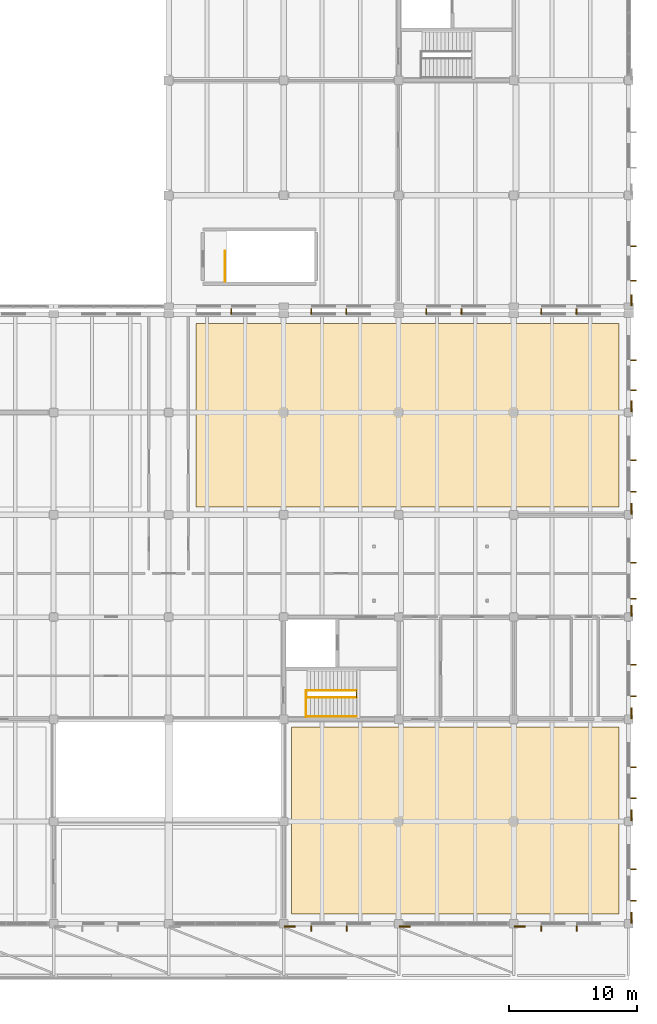
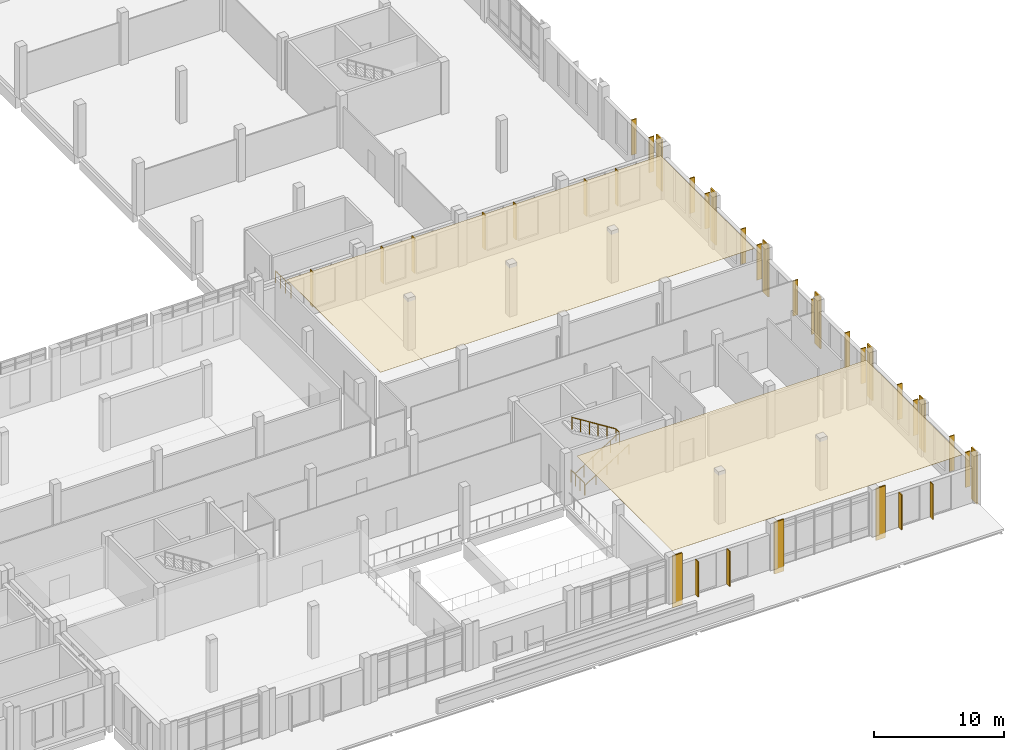
# One storey, part 105 of 110: 25 shading devices, 12 coverings, 6 railings.
"""IFC4 building model written with IfcOpenShell, lengths in metres."""

from ifc_helpers import new_model, si_unit, direction, frame, origin, origin_2d, place, context, subcontext, project, spatial, polyline, rectangle, circle, outline, extrude, material, layer, layer_set, type_object, element, save


model = new_model("IFC4")

# Units and contexts
model_context = context("Model", 3, precision=1e-05, world=origin(), true_north=direction((0.0, 1.0)))
body_context = subcontext(model_context, "Body", "Model", "MODEL_VIEW")
ifc_project = project(units=[si_unit("LENGTHUNIT", "METRE"), si_unit("AREAUNIT", "SQUARE_METRE"), si_unit("VOLUMEUNIT", "CUBIC_METRE"), si_unit("PLANEANGLEUNIT", "RADIAN"), si_unit("MASSUNIT", "GRAM", prefix="KILO")], contexts=[model_context])

# Site, building, storey
site_placement = place(None, origin())
site = spatial("IfcSite", under=ifc_project, at=site_placement, CompositionType="ELEMENT")
building_placement = place(site_placement, origin())
building = spatial("IfcBuilding", under=site, at=building_placement, Name="Zacnel Wholesale Market", CompositionType="ELEMENT")
storey_placement = place(building_placement, frame((0.0, 0.0, 6.300048828125)))
storey = spatial("IfcBuildingStorey", under=building, at=storey_placement, Name="L02", CompositionType="ELEMENT", Elevation=6.300048828125)

# Coverings
ifc_material_1 = material(Name="Micro-perforated acoustic gypsum ceiling")
ifc_layer_1 = layer(ifc_material_1, 0.02001953125)
ifc_layer_set_1 = layer_set([ifc_layer_1], Name="Micro-perforated acoustic gypsum ceiling")
covering_type_1 = type_object("IfcCoveringType", Name="COV-CEIL-AC-20", PredefinedType="CEILING", material=ifc_layer_set_1)
covering_1_placement = place(storey_placement, frame((0.0, 0.0, 4.5400390625)))
element("IfcCovering", 1, at=covering_1_placement, inside=storey, type_object=covering_type_1, Name="Acoustic ceiling L02-503", PredefinedType="CEILING", context=body_context, shape_type="SweptSolid", body=[
    extrude(outline(polyline([(189.60009765625, 0.75), (215.25, 0.75), (215.25, 15.39990234375), (189.60009765625, 15.39990234375), (189.60009765625, 0.75)])), origin(), (0.0, 0.0, 1.0), 0.02001953125),
])
covering_2_placement = place(storey_placement, frame((0.0, 0.0, 4.5400390625)))
element("IfcCovering", 2, at=covering_2_placement, inside=storey, type_object=covering_type_1, Name="Acoustic ceiling L02-511", PredefinedType="CEILING", context=body_context, shape_type="SweptSolid", body=[
    extrude(outline(polyline([(182.14990234375, 32.60009765625), (215.25, 32.60009765625), (215.25, 46.949951171875), (182.14990234375, 46.949951171875), (182.14990234375, 32.60009765625)])), origin(), (0.0, 0.0, 1.0), 0.02001953125),
])
ifc_material_2 = material(Name="Honed Yucatan Maya cream limestone", Category="masonry")
ifc_layer_2 = layer(ifc_material_2, 0.090087890625)
ifc_layer_set_2 = layer_set([ifc_layer_2], Name="Honed Yucatan Maya cream limestone")
covering_type_2 = type_object("IfcCoveringType", Name="COV-CLAD-FRET", PredefinedType="CLADDING", material=ifc_layer_set_2)
for number, where, z_axis, x_axis, name in (
    (3, (189.47998046875, -0.2099609375, 0.02001953125), (0.0, 0.0, 1.0), (1.0, 0.0, 0.0), "Fluted Mayan-Deco limestone pilaster L02-0131"),
    (4, (198.47998046875, -0.2099609375, 0.02001953125), (0.0, 0.0, 1.0), (1.0, 0.0, 0.0), "Fluted Mayan-Deco limestone pilaster L02-0132"),
    (5, (207.47998046875, -0.2099609375, 0.02001953125), (0.0, 0.0, 1.0), (1.0, 0.0, 0.0), "Fluted Mayan-Deco limestone pilaster L02-0133"),
    (6, (216.2099609375, 0.47998046875, 0.02001953125), (0.0, 0.0, 1.0), (0.0, 1.0, 0.0), "Fluted Mayan-Deco limestone pilaster L02-0134"),
    (7, (216.2099609375, 8.47998046875, 0.02001953125), (0.0, 0.0, 1.0), (0.0, 1.0, 0.0), "Fluted Mayan-Deco limestone pilaster L02-0135"),
    (8, (216.2099609375, 16.47998046875, 0.02001953125), (0.0, 0.0, 1.0), (0.0, 1.0, 0.0), "Fluted Mayan-Deco limestone pilaster L02-0136"),
    (9, (216.2099609375, 24.47998046875, 0.02001953125), (0.0, 0.0, 1.0), (0.0, 1.0, 0.0), "Fluted Mayan-Deco limestone pilaster L02-0137"),
    (10, (216.2099609375, 32.47998046875, 0.02001953125), (0.0, 0.0, 1.0), (0.0, 1.0, 0.0), "Fluted Mayan-Deco limestone pilaster L02-0138"),
    (11, (216.2099609375, 40.47998046875, 0.02001953125), (0.0, 0.0, 1.0), (0.0, 1.0, 0.0), "Fluted Mayan-Deco limestone pilaster L02-0139"),
    (12, (216.2099609375, 48.780029296875, 0.02001953125), (0.0, 0.0, 1.0), (0.0, 1.0, 0.0), "Fluted Mayan-Deco limestone pilaster L02-0157"),
):
    element("IfcCovering", number, at=place(storey_placement, frame(where, z_axis=z_axis, x_axis=x_axis)), inside=storey, type_object=covering_type_2, Name=name, PredefinedType="CLADDING", context=body_context, shape_type="SweptSolid", body=[
        extrude(rectangle(XDim=0.85009765625, YDim=0.1201171875, at=origin_2d()), origin(), (0.0, 0.0, 1.0), 4.860107421875),
    ])

# Railings
ifc_material_3 = material(Name="Galvanized steel", Category="steel")
railing_type_1 = type_object("IfcRailingType", Name="RAL-HANDRAIL-920", PredefinedType="HANDRAIL", material=ifc_material_3)
railing_1_placement = place(storey_placement, frame((190.81005859375, 16.2099609375, 0.0)))
element("IfcRailing", 13, at=railing_1_placement, inside=storey, type_object=railing_type_1, Name="Stair ST-05 wall handrail", PredefinedType="HANDRAIL", context=body_context, shape_type="SweptSolid", body=[
    extrude(circle(Radius=0.02099609375, at=origin_2d()), frame((0.0, 0.0, 0.89892578125), z_axis=(0.846775046443, 0.0, 0.531951145052), x_axis=(0.0, 1.0, 0.0)), (0.0, 0.0, 1.0), 4.605712890625),
    extrude(circle(Radius=0.01806640625, at=origin_2d()), origin(), (0.0, 0.0, 1.0), 0.8779296875),
    extrude(circle(Radius=0.01806640625, at=origin_2d()), frame((0.97509765625, 0.0, 0.612548828125)), (0.0, 0.0, 1.0), 0.8779296875),
    extrude(circle(Radius=0.01806640625, at=origin_2d()), frame((1.949951171875, 0.0, 1.22509765625)), (0.0, 0.0, 1.0), 0.8779296875),
    extrude(circle(Radius=0.01806640625, at=origin_2d()), frame((2.9248046875, 0.0, 1.83740234375)), (0.0, 0.0, 1.0), 0.8779296875),
    extrude(circle(Radius=0.01806640625, at=origin_2d()), frame((3.89990234375, 0.0, 2.449951171875)), (0.0, 0.0, 1.0), 0.8779296875),
])
ifc_material_4 = material(Name="Galvanized steel", Category="steel")
railing_type_2 = type_object("IfcRailingType", Name="RAL-STAIR-GD1150", PredefinedType="BALUSTRADE", material=ifc_material_4)
railing_2_placement = place(storey_placement, frame((190.75, 16.18994140625, 0.0)))
element("IfcRailing", 14, at=railing_2_placement, inside=storey, type_object=railing_type_2, Name="Stair balustrade INT-STAIR-ST-04-GDWELL-1", PredefinedType="BALUSTRADE", context=body_context, shape_type="SweptSolid", body=[
    extrude(circle(Radius=0.02392578125, at=origin_2d()), frame((0.0, 0.0, 1.1259765625), z_axis=(0.0, 1.0, 0.0), x_axis=(-1.0, 0.0, 0.0)), (0.0, 0.0, 1.0), 2.06005859375),
    extrude(circle(Radius=0.02099609375, at=origin_2d()), origin(), (0.0, 0.0, 1.0), 1.101806640625),
    extrude(circle(Radius=0.02099609375, at=origin_2d()), frame((0.0, 0.686767578125, 0.0)), (0.0, 0.0, 1.0), 1.101806640625),
    extrude(circle(Radius=0.02099609375, at=origin_2d()), frame((0.0, 1.373291015625, 0.0)), (0.0, 0.0, 1.0), 1.101806640625),
    extrude(circle(Radius=0.02099609375, at=origin_2d()), frame((0.0, 2.06005859375, 0.0)), (0.0, 0.0, 1.0), 1.101806640625),
])
railing_3_placement = place(storey_placement, frame((190.81005859375, 17.699951171875, 0.0)))
element("IfcRailing", 15, at=railing_3_placement, inside=storey, type_object=railing_type_2, Name="Stair balustrade INT-STAIR-ST-05-GDIN-1", PredefinedType="BALUSTRADE", context=body_context, shape_type="SweptSolid", body=[
    extrude(circle(Radius=0.02392578125, at=origin_2d()), frame((0.0, 0.0, 1.1259765625), z_axis=(0.846775046443, 0.0, 0.531951145052), x_axis=(0.0, 1.0, 0.0)), (0.0, 0.0, 1.0), 4.605712890625),
    extrude(circle(Radius=0.02099609375, at=origin_2d()), origin(), (0.0, 0.0, 1.0), 1.101806640625),
    extrude(circle(Radius=0.02099609375, at=origin_2d()), frame((0.780029296875, 0.0, 0.489990234375)), (0.0, 0.0, 1.0), 1.101806640625),
    extrude(circle(Radius=0.02099609375, at=origin_2d()), frame((1.56005859375, 0.0, 0.97998046875)), (0.0, 0.0, 1.0), 1.101806640625),
    extrude(circle(Radius=0.02099609375, at=origin_2d()), frame((2.33984375, 0.0, 1.469970703125)), (0.0, 0.0, 1.0), 1.101806640625),
    extrude(circle(Radius=0.02099609375, at=origin_2d()), frame((3.119873046875, 0.0, 1.9599609375)), (0.0, 0.0, 1.0), 1.101806640625),
    extrude(circle(Radius=0.02099609375, at=origin_2d()), frame((3.89990234375, 0.0, 2.449951171875)), (0.0, 0.0, 1.0), 1.101806640625),
])
railing_4_placement = place(storey_placement, frame((194.7099609375, 17.699951171875, 2.449951171875)))
element("IfcRailing", 16, at=railing_4_placement, inside=storey, type_object=railing_type_2, Name="Stair balustrade INT-STAIR-ST-05-GDIN-2", PredefinedType="BALUSTRADE", context=body_context, shape_type="SweptSolid", body=[
    extrude(circle(Radius=0.02392578125, at=origin_2d()), frame((0.0, 0.0, 1.1259765625), z_axis=(0.0, 1.0, 0.0), x_axis=(-1.0, 0.0, 0.0)), (0.0, 0.0, 1.0), 0.550048828125),
    extrude(circle(Radius=0.02099609375, at=origin_2d()), origin(), (0.0, 0.0, 1.0), 1.101806640625),
    extrude(circle(Radius=0.02099609375, at=origin_2d()), frame((0.0, 0.550048828125, 0.0)), (0.0, 0.0, 1.0), 1.101806640625),
])
railing_5_placement = place(storey_placement, frame((194.7099609375, 18.25, 2.449951171875)))
element("IfcRailing", 17, at=railing_5_placement, inside=storey, type_object=railing_type_2, Name="Stair balustrade INT-STAIR-ST-05-GDIN-3", PredefinedType="BALUSTRADE", context=body_context, shape_type="SweptSolid", body=[
    extrude(circle(Radius=0.02392578125, at=origin_2d()), frame((0.0, 0.0, 1.1259765625), z_axis=(-0.846775046443, 0.0, 0.531951145052), x_axis=(0.0, -1.0, 0.0)), (0.0, 0.0, 1.0), 4.605712890625),
    extrude(circle(Radius=0.02099609375, at=origin_2d()), origin(), (0.0, 0.0, 1.0), 1.101806640625),
    extrude(circle(Radius=0.02099609375, at=origin_2d()), frame((-0.780029296875, 0.0, 0.489990234375)), (0.0, 0.0, 1.0), 1.101806640625),
    extrude(circle(Radius=0.02099609375, at=origin_2d()), frame((-1.56005859375, 0.0, 0.97998046875)), (0.0, 0.0, 1.0), 1.101806640625),
    extrude(circle(Radius=0.02099609375, at=origin_2d()), frame((-2.33984375, 0.0, 1.469970703125)), (0.0, 0.0, 1.0), 1.101806640625),
    extrude(circle(Radius=0.02099609375, at=origin_2d()), frame((-3.119873046875, 0.0, 1.9599609375)), (0.0, 0.0, 1.0), 1.101806640625),
    extrude(circle(Radius=0.02099609375, at=origin_2d()), frame((-3.89990234375, 0.0, 2.449951171875)), (0.0, 0.0, 1.0), 1.101806640625),
])
railing_6_placement = place(storey_placement, frame((184.419921875, 50.260009765625, 0.0)))
element("IfcRailing", 18, at=railing_6_placement, inside=storey, type_object=railing_type_2, Name="Stair balustrade INT-STAIR-ST-22-GDWELL-1", PredefinedType="BALUSTRADE", context=body_context, shape_type="SweptSolid", body=[
    extrude(circle(Radius=0.02392578125, at=origin_2d()), frame((0.0, 0.0, 1.1259765625), z_axis=(0.0, 1.0, 0.0), x_axis=(-1.0, 0.0, 0.0)), (0.0, 0.0, 1.0), 2.369873046875),
    extrude(circle(Radius=0.02099609375, at=origin_2d()), origin(), (0.0, 0.0, 1.0), 1.101806640625),
    extrude(circle(Radius=0.02099609375, at=origin_2d()), frame((0.0, 0.7900390625, 0.0)), (0.0, 0.0, 1.0), 1.101806640625),
    extrude(circle(Radius=0.02099609375, at=origin_2d()), frame((0.0, 1.579833984375, 0.0)), (0.0, 0.0, 1.0), 1.101806640625),
    extrude(circle(Radius=0.02099609375, at=origin_2d()), frame((0.0, 2.369873046875, 0.0)), (0.0, 0.0, 1.0), 1.101806640625),
])

# Shading devices
ifc_material_5 = material(Name="Honed Yucatan Maya cream limestone", Category="masonry")
shading_device_type = type_object("IfcShadingDeviceType", Name="SHD-FIN-V450", PredefinedType="USERDEFINED", material=ifc_material_5)
for number, where, z_axis, x_axis, name in (
    (19, (191.14794921875, -0.3798828125, 0.51513671875), (0.0, 0.0, 1.0), (1.0, 0.0, 0.0), "Limestone sunshade fin 0159"),
    (20, (193.931884765625, -0.3798828125, 0.51513671875), (0.0, 0.0, 1.0), (1.0, 0.0, 0.0), "Limestone sunshade fin 0160"),
    (21, (209.14794921875, -0.3798828125, 0.47509765625), (0.0, 0.0, 1.0), (1.0, 0.0, 0.0), "Limestone sunshade fin 0161"),
    (22, (211.931884765625, -0.3798828125, 0.47509765625), (0.0, 0.0, 1.0), (1.0, 0.0, 0.0), "Limestone sunshade fin 0162"),
    (23, (216.3798828125, 1.81494140625, 0.544921875), (0.0, 0.0, 1.0), (0.0, 1.0, 0.0), "Limestone sunshade fin 0175"),
    (24, (216.3798828125, 4.264892578125, 0.544921875), (0.0, 0.0, 1.0), (0.0, 1.0, 0.0), "Limestone sunshade fin 0176"),
    (25, (216.3798828125, 9.81494140625, 0.544921875), (0.0, 0.0, 1.0), (0.0, 1.0, 0.0), "Limestone sunshade fin 0177"),
    (26, (216.3798828125, 12.264892578125, 0.544921875), (0.0, 0.0, 1.0), (0.0, 1.0, 0.0), "Limestone sunshade fin 0178"),
    (27, (216.3798828125, 17.81494140625, 0.544921875), (0.0, 0.0, 1.0), (0.0, 1.0, 0.0), "Limestone sunshade fin 0179"),
    (28, (216.3798828125, 20.264892578125, 0.544921875), (0.0, 0.0, 1.0), (0.0, 1.0, 0.0), "Limestone sunshade fin 0180"),
    (29, (216.3798828125, 25.43408203125, 0.544921875), (0.0, 0.0, 1.0), (0.0, 1.0, 0.0), "Limestone sunshade fin 0181"),
    (30, (216.3798828125, 28.264892578125, 0.544921875), (0.0, 0.0, 1.0), (0.0, 1.0, 0.0), "Limestone sunshade fin 0182"),
    (31, (216.3798828125, 33.81494140625, 0.544921875), (0.0, 0.0, 1.0), (0.0, 1.0, 0.0), "Limestone sunshade fin 0183"),
    (32, (216.3798828125, 36.264892578125, 0.544921875), (0.0, 0.0, 1.0), (0.0, 1.0, 0.0), "Limestone sunshade fin 0184"),
    (33, (216.3798828125, 41.73193359375, 0.544921875), (0.0, 0.0, 1.0), (0.0, 1.0, 0.0), "Limestone sunshade fin 0185"),
    (34, (216.3798828125, 44.097900390625, 0.544921875), (0.0, 0.0, 1.0), (0.0, 1.0, 0.0), "Limestone sunshade fin 0186"),
    (35, (184.9150390625, 47.919921875, 0.53515625), (0.0, 0.0, 1.0), (1.0, 0.0, 0.0), "Limestone sunshade fin 0196"),
    (36, (191.1650390625, 47.919921875, 0.53515625), (0.0, 0.0, 1.0), (1.0, 0.0, 0.0), "Limestone sunshade fin 0197"),
    (37, (193.9150390625, 47.919921875, 0.53515625), (0.0, 0.0, 1.0), (1.0, 0.0, 0.0), "Limestone sunshade fin 0198"),
    (38, (200.1650390625, 47.919921875, 0.53515625), (0.0, 0.0, 1.0), (1.0, 0.0, 0.0), "Limestone sunshade fin 0199"),
    (39, (202.9150390625, 47.919921875, 0.53515625), (0.0, 0.0, 1.0), (1.0, 0.0, 0.0), "Limestone sunshade fin 0200"),
    (40, (209.1650390625, 47.919921875, 0.53515625), (0.0, 0.0, 1.0), (1.0, 0.0, 0.0), "Limestone sunshade fin 0201"),
    (41, (211.9150390625, 47.919921875, 0.53515625), (0.0, 0.0, 1.0), (1.0, 0.0, 0.0), "Limestone sunshade fin 0202"),
    (42, (216.3798828125, 50.31494140625, 0.60498046875), (0.0, 0.0, 1.0), (0.0, 1.0, 0.0), "Limestone sunshade fin 0203"),
    (43, (216.3798828125, 53.014892578125, 0.60498046875), (0.0, 0.0, 1.0), (0.0, 1.0, 0.0), "Limestone sunshade fin 0204"),
):
    element("IfcShadingDevice", number, at=place(storey_placement, frame(where, z_axis=z_axis, x_axis=x_axis)), inside=storey, type_object=shading_device_type, Name=name, ObjectType="SUNSHADE", PredefinedType="USERDEFINED", context=body_context, shape_type="SweptSolid", body=[
        extrude(rectangle(XDim=0.080078125, YDim=0.43994140625, at=origin_2d()), origin(), (0.0, 0.0, 1.0), 3.300048828125),
    ])

save(model, "model.ifc")
